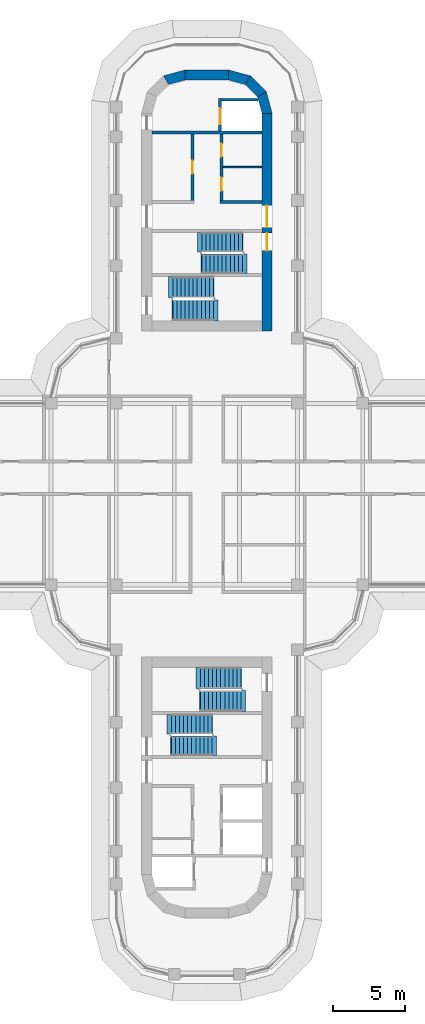
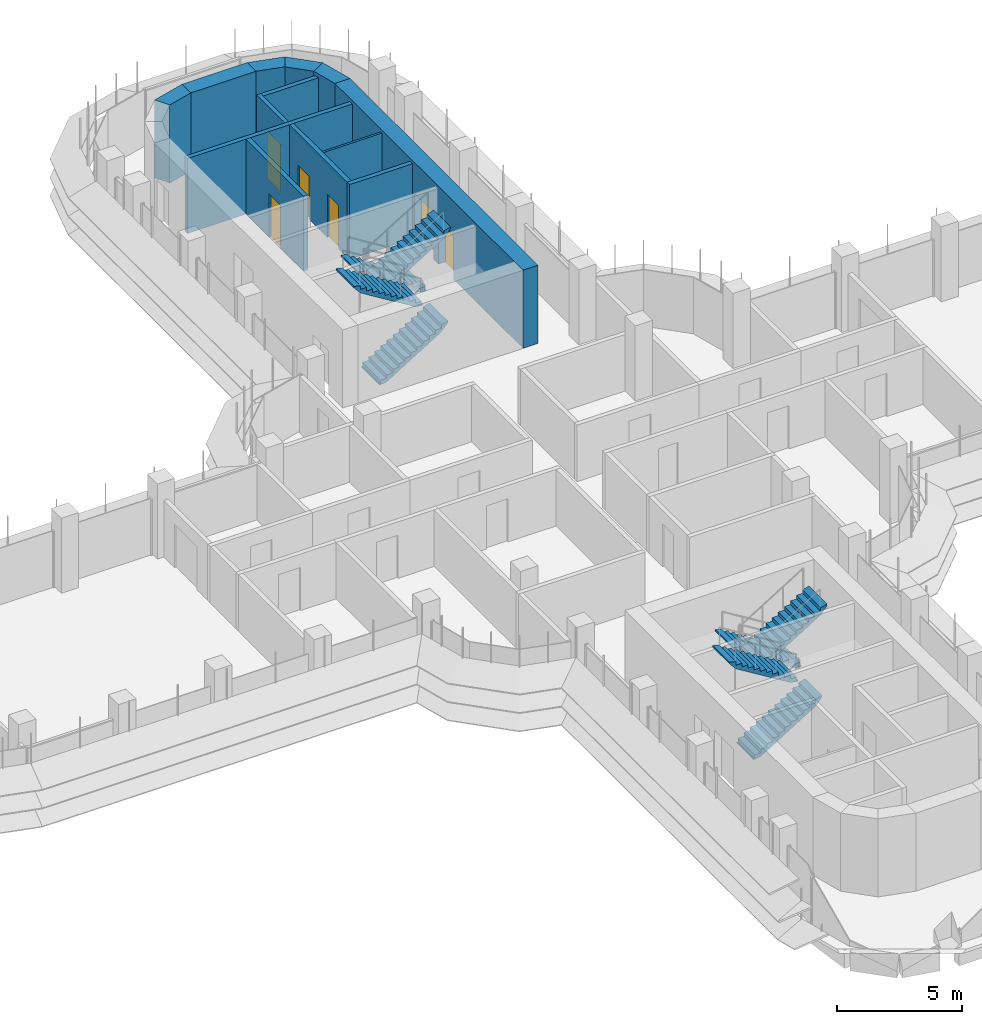
# One storey, part 16 of 20: 13 walls, 8 stair flights, 6 doors, 6 openings, 4 elements without a shape of their own.
"""IFC4 building model written with IfcOpenShell, lengths in metres."""

from ifc_helpers import new_model, si_unit, direction, frame, frame_2d, origin, place, context, subcontext, project, spatial, polyline, rectangle, outline, extrude, material, layer, layer_set, type_object, element, fill, aggregate, save


model = new_model("IFC4")

# Units and contexts
model_context = context("Model", 3, precision=1e-05, world=origin(), true_north=direction((0.0, 1.0)))
body_context = subcontext(model_context, "Body", "Model", "MODEL_VIEW")
ifc_project = project(units=[si_unit("LENGTHUNIT", "METRE"), si_unit("AREAUNIT", "SQUARE_METRE"), si_unit("VOLUMEUNIT", "CUBIC_METRE"), si_unit("PLANEANGLEUNIT", "RADIAN"), si_unit("MASSUNIT", "GRAM", prefix="KILO")], contexts=[model_context])

# Site, building, storey
site_placement = place(None, origin())
site = spatial("IfcSite", under=ifc_project, at=site_placement, CompositionType="ELEMENT")
building_placement = place(site_placement, origin())
building = spatial("IfcBuilding", under=site, at=building_placement, Name="Zarbagh Exchange Tower", CompositionType="ELEMENT")
storey_placement = place(building_placement, frame((0.0, 0.0, 152.39990234375)))
storey = spatial("IfcBuildingStorey", under=building, at=storey_placement, Name="L36", CompositionType="ELEMENT", Elevation=152.39990234375)

# Walls
ifc_material_1 = material(Name="Dense blockwork", Category="masonry")
ifc_layer_1 = layer(ifc_material_1, 0.10009765625)
ifc_layer_set_1 = layer_set([ifc_layer_1], Name="Core partition 100 mm blockwork")
wall_type_1 = type_object("IfcWallType", Name="Core partition 100 mm blockwork", PredefinedType="PARTITIONING", material=ifc_layer_set_1)
wall_1_placement = place(storey_placement, frame((1.10009765625, 22.550048828125, 0.0), z_axis=(0.0, 0.0, 1.0), x_axis=(1.0, 0.0, 0.0)))
element("IfcWall", 1, at=wall_1_placement, inside=storey, type_object=wall_type_1, Name="North core partition wall CUT-E-580", PredefinedType="PARTITIONING", context=body_context, shape_type="SweptSolid", body=[
    extrude(rectangle(XDim=2.699951171875, YDim=0.10009765625, at=frame_2d((1.35009765625, 0.0))), origin(), (0.0, 0.0, 1.0), 3.650146484375),
])
ifc_material_2 = material(Name="Concrete C50/60", Category="concrete")
ifc_layer_2 = layer(ifc_material_2, 0.699951171875)
ifc_layer_set_2 = layer_set([ifc_layer_2], Name="RC core corner wall 700 C50/60")
wall_type_2 = type_object("IfcWallType", Name="RC core corner wall 700 C50/60", PredefinedType="SHEAR", material=ifc_layer_set_2)
wall_2_placement = place(storey_placement, origin())
element("IfcWall", 2, at=wall_2_placement, inside=storey, type_object=wall_type_2, Name="CW6 core N corner W", PredefinedType="SHEAR", context=body_context, shape_type="SweptSolid", body=[
    extrude(outline(polyline([(-3.0, 28.84814453125), (-1.5, 29.25), (-1.5, 28.550048828125), (-2.64990234375, 28.241943359375), (-3.0, 28.84814453125)])), origin(), (0.0, 0.0, 1.0), 3.800048828125),
])
wall_3_placement = place(storey_placement, origin())
element("IfcWall", 3, at=wall_3_placement, inside=storey, type_object=wall_type_2, Name="CW6 core N corner E", PredefinedType="SHEAR", context=body_context, shape_type="SweptSolid", body=[
    extrude(outline(polyline([(4.5, 26.25), (4.09814453125, 27.75), (3.491943359375, 27.39990234375), (3.800048828125, 26.25), (4.5, 26.25)])), origin(), (0.0, 0.0, 1.0), 3.800048828125),
])
wall_4_placement = place(storey_placement, origin())
element("IfcWall", 4, at=wall_4_placement, inside=storey, type_object=wall_type_2, Name="CW6 core N corner E", PredefinedType="SHEAR", context=body_context, shape_type="SweptSolid", body=[
    extrude(outline(polyline([(4.09814453125, 27.75), (3.0, 28.84814453125), (2.64990234375, 28.241943359375), (3.491943359375, 27.39990234375), (4.09814453125, 27.75)])), origin(), (0.0, 0.0, 1.0), 3.800048828125),
])
wall_5_placement = place(storey_placement, origin())
element("IfcWall", 5, at=wall_5_placement, inside=storey, type_object=wall_type_2, Name="CW6 core N corner E", PredefinedType="SHEAR", context=body_context, shape_type="SweptSolid", body=[
    extrude(outline(polyline([(3.0, 28.84814453125), (1.5, 29.25), (1.5, 28.550048828125), (2.64990234375, 28.241943359375), (3.0, 28.84814453125)])), origin(), (0.0, 0.0, 1.0), 3.800048828125),
])

# Wall, openings, doors
ifc_layer_3 = layer(ifc_material_2, 0.699951171875)
ifc_layer_set_3 = layer_set([ifc_layer_3], Name="RC core wall 700 C50/60")
wall_type_3 = type_object("IfcWallType", Name="RC core wall 700 C50/60", PredefinedType="SHEAR", material=ifc_layer_set_3)
wall_6_placement = place(storey_placement, frame((4.14990234375, 11.25, 0.0), z_axis=(0.0, 0.0, 1.0), x_axis=(0.0, 1.0, 0.0)))
wall_6 = element("IfcWall", 6, at=wall_6_placement, inside=storey, type_object=wall_type_3, Name="CW5 core N E", PredefinedType="SHEAR", context=body_context, shape_type="SweptSolid", body=[
    extrude(rectangle(XDim=15.0, YDim=0.699951171875, at=frame_2d((7.5, 0.0))), origin(), (0.0, 0.0, 1.0), 3.800048828125),
])
opening_1_placement = place(wall_6_placement, frame((7.14990234375, 0.0, 0.0)))
opening_1 = element("IfcOpeningElement", 7, at=opening_1_placement, cuts=wall_6, Name="Opening CD1-1500", PredefinedType="OPENING", context=body_context, shape_type="SweptSolid", body=[
    extrude(rectangle(XDim=1.5, YDim=2.300048828125, at=frame_2d((0.75, 1.14990234375))), frame((0.0, 0.35986328125, 0.0), z_axis=(0.0, -1.0, 0.0), x_axis=(1.0, 0.0, 0.0)), (0.0, 0.0, 1.0), 0.719970703125),
])
opening_2_placement = place(wall_6_placement, frame((5.550048828125, 0.0, 0.0)))
opening_2 = element("IfcOpeningElement", 8, at=opening_2_placement, cuts=wall_6, Name="Opening SD1-1200", PredefinedType="OPENING", context=body_context, shape_type="SweptSolid", body=[
    extrude(rectangle(XDim=1.199951171875, YDim=2.10009765625, at=frame_2d((0.60009765625, 1.050048828125))), frame((0.0, 0.35986328125, 0.0), z_axis=(0.0, -1.0, 0.0), x_axis=(1.0, 0.0, 0.0)), (0.0, 0.0, 1.0), 0.719970703125),
])
ifc_material_3 = material(Name="Steel", Category="steel")
door_type_1 = type_object("IfcDoorType", Name="Exit stair door 1200 x 2100", OperationType="NOTDEFINED", PredefinedType="DOOR", material=ifc_material_3)
door_1_placement = place(opening_2_placement, origin())
door_1 = element("IfcDoor", 9, at=door_1_placement, inside=storey, type_object=door_type_1, Name="North core stair door ST1", OperationType="SINGLE_SWING_LEFT", OverallHeight=2.10009765625, OverallWidth=1.199951171875, PredefinedType="DOOR", context=body_context, shape_type="SweptSolid", body=[
    extrude(rectangle(XDim=1.199951171875, YDim=2.10009765625, at=frame_2d((0.60009765625, 1.050048828125))), frame((0.0, 0.02490234375, 0.0), z_axis=(0.0, -1.0, 0.0), x_axis=(1.0, 0.0, 0.0)), (0.0, 0.0, 1.0), 0.050048828125),
])
fill(opening_2, door_1)
door_type_2 = type_object("IfcDoorType", Name="Lift lobby double door 1500 x 2300", OperationType="NOTDEFINED", PredefinedType="DOOR", material=ifc_material_3)
door_2_placement = place(opening_1_placement, origin())
door_2 = element("IfcDoor", 10, at=door_2_placement, inside=storey, type_object=door_type_2, Name="North core lift lobby door LOBBY-E", OperationType="DOUBLE_DOOR_SINGLE_SWING", OverallHeight=2.300048828125, OverallWidth=1.5, PredefinedType="DOOR", context=body_context, shape_type="SweptSolid", body=[
    extrude(rectangle(XDim=1.5, YDim=2.300048828125, at=frame_2d((0.75, 1.14990234375))), frame((0.0, 0.02490234375, 0.0), z_axis=(0.0, -1.0, 0.0), x_axis=(1.0, 0.0, 0.0)), (0.0, 0.0, 1.0), 0.050048828125),
])
fill(opening_1, door_2)

# Wall
wall_7_placement = place(storey_placement, frame((-1.5, 28.89990234375, 0.0), z_axis=(0.0, 0.0, 1.0), x_axis=(1.0, 0.0, 0.0)))
element("IfcWall", 11, at=wall_7_placement, inside=storey, type_object=wall_type_3, Name="CW5 core N outer end", PredefinedType="SHEAR", context=body_context, shape_type="SweptSolid", body=[
    extrude(rectangle(XDim=3.0, YDim=0.699951171875, at=frame_2d((1.5, 0.0))), origin(), (0.0, 0.0, 1.0), 3.800048828125),
])

# Wall, opening, door
ifc_layer_4 = layer(ifc_material_1, 0.199951171875)
ifc_layer_set_4 = layer_set([ifc_layer_4], Name="Shaft wall 200 mm blockwork")
wall_type_4 = type_object("IfcWallType", Name="Shaft wall 200 mm blockwork", PredefinedType="PARTITIONING", material=ifc_layer_set_4)
wall_8_placement = place(storey_placement, frame((-1.0, 24.85009765625, 0.0), z_axis=(0.0, 0.0, 1.0), x_axis=(0.0, -1.0, 0.0)))
wall_8 = element("IfcWall", 12, at=wall_8_placement, inside=storey, type_object=wall_type_4, Name="North core shaft wall LW-W", PredefinedType="PARTITIONING", context=body_context, shape_type="SweptSolid", body=[
    extrude(rectangle(XDim=4.60009765625, YDim=0.199951171875, at=frame_2d((2.300048828125, 0.0))), origin(), (0.0, 0.0, 1.0), 3.650146484375),
])
opening_3_placement = place(wall_8_placement, frame((1.85009765625, 0.0, 0.0)))
opening_3 = element("IfcOpeningElement", 13, at=opening_3_placement, cuts=wall_8, Name="Opening CD3-900", PredefinedType="OPENING", context=body_context, shape_type="SweptSolid", body=[
    extrude(rectangle(XDim=0.89990234375, YDim=2.10009765625, at=frame_2d((0.449951171875, 1.050048828125))), frame((0.0, 0.10986328125, 0.0), z_axis=(0.0, -1.0, 0.0), x_axis=(1.0, 0.0, 0.0)), (0.0, 0.0, 1.0), 0.219970703125),
])
door_type_3 = type_object("IfcDoorType", Name="Core room door 900 x 2100", OperationType="NOTDEFINED", PredefinedType="DOOR", material=ifc_material_3)
door_3_placement = place(opening_3_placement, origin())
door_3 = element("IfcDoor", 14, at=door_3_placement, inside=storey, type_object=door_type_3, Name="North core Riser store door RD-W-0", OperationType="SINGLE_SWING_LEFT", OverallHeight=2.10009765625, OverallWidth=0.89990234375, PredefinedType="DOOR", context=body_context, shape_type="SweptSolid", body=[
    extrude(rectangle(XDim=0.89990234375, YDim=2.10009765625, at=frame_2d((0.449951171875, 1.050048828125))), frame((0.0, 0.02490234375, 0.0), z_axis=(0.0, -1.0, 0.0), x_axis=(1.0, 0.0, 0.0)), (0.0, 0.0, 1.0), 0.050048828125),
])
fill(opening_3, door_3)

# Wall
wall_9_placement = place(storey_placement, frame((0.89990234375, 20.14990234375, 0.0), z_axis=(0.0, 0.0, 1.0), x_axis=(1.0, 0.0, 0.0)))
element("IfcWall", 15, at=wall_9_placement, inside=storey, type_object=wall_type_4, Name="North core shaft wall AB-E", PredefinedType="PARTITIONING", context=body_context, shape_type="SweptSolid", body=[
    extrude(rectangle(XDim=2.900146484375, YDim=0.199951171875, at=frame_2d((1.4501953125, 0.0))), origin(), (0.0, 0.0, 1.0), 3.650146484375),
])

# Wall, openings, doors
wall_10_placement = place(storey_placement, frame((1.0, 24.85009765625, 0.0), z_axis=(0.0, 0.0, 1.0), x_axis=(0.0, -1.0, 0.0)))
wall_10 = element("IfcWall", 16, at=wall_10_placement, inside=storey, type_object=wall_type_4, Name="North core shaft wall LW-E", PredefinedType="PARTITIONING", context=body_context, shape_type="SweptSolid", body=[
    extrude(rectangle(XDim=4.60009765625, YDim=0.199951171875, at=frame_2d((2.300048828125, 0.0))), origin(), (0.0, 0.0, 1.0), 3.650146484375),
])
opening_4_placement = place(wall_10_placement, frame((0.675048828125, 0.0, 0.0)))
opening_4 = element("IfcOpeningElement", 17, at=opening_4_placement, cuts=wall_10, Name="Opening CD3-900", PredefinedType="OPENING", context=body_context, shape_type="SweptSolid", body=[
    extrude(rectangle(XDim=0.89990234375, YDim=2.10009765625, at=frame_2d((0.449951171875, 1.050048828125))), frame((0.0, 0.10986328125, 0.0), z_axis=(0.0, -1.0, 0.0), x_axis=(1.0, 0.0, 0.0)), (0.0, 0.0, 1.0), 0.219970703125),
])
opening_5_placement = place(wall_10_placement, frame((3.02490234375, 0.0, 0.0)))
opening_5 = element("IfcOpeningElement", 18, at=opening_5_placement, cuts=wall_10, Name="Opening CD3-900", PredefinedType="OPENING", context=body_context, shape_type="SweptSolid", body=[
    extrude(rectangle(XDim=0.89990234375, YDim=2.10009765625, at=frame_2d((0.449951171875, 1.050048828125))), frame((0.0, 0.10986328125, 0.0), z_axis=(0.0, -1.0, 0.0), x_axis=(1.0, 0.0, 0.0)), (0.0, 0.0, 1.0), 0.219970703125),
])
door_4_placement = place(opening_4_placement, origin())
door_4 = element("IfcDoor", 19, at=door_4_placement, inside=storey, type_object=door_type_3, Name="North core Staff WC door RD-E-0", OperationType="SINGLE_SWING_LEFT", OverallHeight=2.10009765625, OverallWidth=0.89990234375, PredefinedType="DOOR", context=body_context, shape_type="SweptSolid", body=[
    extrude(rectangle(XDim=0.89990234375, YDim=2.10009765625, at=frame_2d((0.449951171875, 1.050048828125))), frame((0.0, 0.02490234375, 0.0), z_axis=(0.0, -1.0, 0.0), x_axis=(1.0, 0.0, 0.0)), (0.0, 0.0, 1.0), 0.050048828125),
])
fill(opening_4, door_4)
door_5_placement = place(opening_5_placement, origin())
door_5 = element("IfcDoor", 20, at=door_5_placement, inside=storey, type_object=door_type_3, Name="North core Accessible WC door RD-E-1", OperationType="SINGLE_SWING_RIGHT", OverallHeight=2.10009765625, OverallWidth=0.89990234375, PredefinedType="DOOR", context=body_context, shape_type="SweptSolid", body=[
    extrude(rectangle(XDim=0.89990234375, YDim=2.10009765625, at=frame_2d((0.449951171875, 1.050048828125))), frame((0.0, 0.02490234375, 0.0), z_axis=(0.0, -1.0, 0.0), x_axis=(1.0, 0.0, 0.0)), (0.0, 0.0, 1.0), 0.050048828125),
])
fill(opening_5, door_5)

# Wall
ifc_material_4 = material(Name="Concrete C40/50", Category="concrete")
ifc_layer_5 = layer(ifc_material_4, 0.199951171875)
ifc_layer_set_5 = layer_set([ifc_layer_5], Name="Stair enclosure wall 200 mm RC C40/50")
wall_type_5 = type_object("IfcWallType", Name="Stair enclosure wall 200 mm RC C40/50", PredefinedType="SHEAR", material=ifc_layer_set_5)
wall_11_placement = place(storey_placement, frame((-3.800048828125, 24.949951171875, 0.0), z_axis=(0.0, 0.0, 1.0), x_axis=(1.0, 0.0, 0.0)))
element("IfcWall", 21, at=wall_11_placement, inside=storey, type_object=wall_type_5, Name="North core lift shaft wall FFA", PredefinedType="SHEAR", context=body_context, shape_type="SweptSolid", body=[
    extrude(rectangle(XDim=7.60009765625, YDim=0.199951171875, at=frame_2d((3.800048828125, 0.0))), origin(), (0.0, 0.0, 1.0), 3.650146484375),
])

# Wall, opening, door
wall_12_placement = place(storey_placement, frame((0.89990234375, 27.300048828125, 0.0), z_axis=(0.0, 0.0, 1.0), x_axis=(0.0, -1.0, 0.0)))
wall_12 = element("IfcWall", 22, at=wall_12_placement, inside=storey, type_object=wall_type_5, Name="North core lift shaft wall FFL", PredefinedType="SHEAR", context=body_context, shape_type="SweptSolid", body=[
    extrude(rectangle(XDim=2.25, YDim=0.199951171875, at=frame_2d((1.125, 0.0))), origin(), (0.0, 0.0, 1.0), 3.650146484375),
])
opening_6_placement = place(wall_12_placement, frame((0.699951171875, 0.0, 0.0)))
opening_6 = element("IfcOpeningElement", 23, at=opening_6_placement, cuts=wall_12, Name="Opening LD-1100", PredefinedType="OPENING", context=body_context, shape_type="SweptSolid", body=[
    extrude(rectangle(XDim=1.10009765625, YDim=2.300048828125, at=frame_2d((0.550048828125, 1.14990234375))), frame((0.0, 0.10986328125, 0.0), z_axis=(0.0, -1.0, 0.0), x_axis=(1.0, 0.0, 0.0)), (0.0, 0.0, 1.0), 0.219970703125),
])
ifc_material_5 = material(Name="Stainless steel", Category="steel")
door_type_4 = type_object("IfcDoorType", Name="Lift landing door 1100 x 2300", OperationType="NOTDEFINED", PredefinedType="DOOR", material=ifc_material_5)
door_6_placement = place(opening_6_placement, origin())
door_6 = element("IfcDoor", 24, at=door_6_placement, inside=storey, type_object=door_type_4, Name="North core lift landing door LD-F", OperationType="DOUBLE_DOOR_SLIDING", OverallHeight=2.300048828125, OverallWidth=1.10009765625, PredefinedType="DOOR", context=body_context, shape_type="SweptSolid", body=[
    extrude(rectangle(XDim=1.10009765625, YDim=2.300048828125, at=frame_2d((0.550048828125, 1.14990234375))), frame((0.0, 0.02490234375, 0.0), z_axis=(0.0, -1.0, 0.0), x_axis=(1.0, 0.0, 0.0)), (0.0, 0.0, 1.0), 0.050048828125),
])
fill(opening_6, door_6)

# Wall
wall_13_placement = place(storey_placement, origin())
element("IfcWall", 25, at=wall_13_placement, inside=storey, type_object=wall_type_5, Name="North core lift shaft wall FFX", PredefinedType="SHEAR", context=body_context, shape_type="SweptSolid", body=[
    extrude(outline(polyline([(1.0, 27.10009765625), (3.547607421875, 27.10009765625), (3.493896484375, 27.300048828125), (1.0, 27.300048828125), (1.0, 27.10009765625)])), origin(), (0.0, 0.0, 1.0), 3.650146484375),
])

# Stair, stair flights
stair_type = type_object("IfcStairType", Name="Exit stair two-flight half-turn", PredefinedType="HALF_TURN_STAIR", material=ifc_material_4)
stair_1_placement = place(storey_placement, origin())
stair_1 = element("IfcStair", 26, at=stair_1_placement, inside=storey, type_object=stair_type, Name="exit stair ST1", PredefinedType="HALF_TURN_STAIR")
stair_flight_type_1 = type_object("IfcStairFlightType", Name="Stair flight 1350 mm", PredefinedType="STRAIGHT", material=ifc_material_4)
stair_flight_1_placement = place(storey_placement, frame((2.449951171875, 17.375, 0.0), z_axis=(0.0, 0.0, 1.0), x_axis=(-1.0, 0.0, 0.0)))
stair_flight_1 = element("IfcStairFlight", 27, at=stair_flight_1_placement, type_object=stair_flight_type_1, Name="ST1 flight 1", NumberOfRisers=11, NumberOfTreads=10, PredefinedType="STRAIGHT", RiserHeight=0.172727273, TreadLength=0.28, context=body_context, shape_type="SweptSolid", body=[
    extrude(outline(polyline([(-0.050048828125, -0.050048828125), (-0.050048828125, 0.0), (0.0, 0.0), (0.0, 0.172607421875), (0.280029296875, 0.172607421875), (0.280029296875, 0.345458984375), (0.56005859375, 0.345458984375), (0.56005859375, 0.51806640625), (0.840087890625, 0.51806640625), (0.840087890625, 0.69091796875), (1.1201171875, 0.69091796875), (1.1201171875, 0.863525390625), (1.39990234375, 0.863525390625), (1.39990234375, 1.036376953125), (1.679931640625, 1.036376953125), (1.679931640625, 1.208984375), (1.9599609375, 1.208984375), (1.9599609375, 1.3818359375), (2.239990234375, 1.3818359375), (2.239990234375, 1.554443359375), (2.52001953125, 1.554443359375), (2.52001953125, 1.727294921875), (2.800048828125, 1.727294921875), (2.800048828125, 1.89990234375), (3.10009765625, 1.97998046875), (3.10009765625, 1.89990234375), (2.800048828125, 1.551025390625), (0.285400390625, 0.0), (-0.050048828125, -0.050048828125)])), frame((0.0, 0.675048828125, 0.0), z_axis=(0.0, -1.0, 0.0), x_axis=(1.0, 0.0, 0.0)), (0.0, 0.0, 1.0), 1.35009765625),
])
stair_flight_2_placement = place(storey_placement, frame((-0.35009765625, 15.875, 1.900146484375), z_axis=(0.0, 0.0, 1.0), x_axis=(1.0, 0.0, 0.0)))
stair_flight_2 = element("IfcStairFlight", 28, at=stair_flight_2_placement, type_object=stair_flight_type_1, Name="ST1 flight 2", NumberOfRisers=11, NumberOfTreads=10, PredefinedType="STRAIGHT", RiserHeight=0.172727273, TreadLength=0.28, context=body_context, shape_type="SweptSolid", body=[
    extrude(outline(polyline([(-0.050048828125, -0.050048828125), (-0.050048828125, 0.0), (0.0, 0.0), (0.0, 0.172607421875), (0.280029296875, 0.172607421875), (0.280029296875, 0.345458984375), (0.56005859375, 0.345458984375), (0.56005859375, 0.51806640625), (0.840087890625, 0.51806640625), (0.840087890625, 0.69091796875), (1.1201171875, 0.69091796875), (1.1201171875, 0.863525390625), (1.39990234375, 0.863525390625), (1.39990234375, 1.036376953125), (1.679931640625, 1.036376953125), (1.679931640625, 1.208984375), (1.9599609375, 1.208984375), (1.9599609375, 1.3818359375), (2.239990234375, 1.3818359375), (2.239990234375, 1.554443359375), (2.52001953125, 1.554443359375), (2.52001953125, 1.727294921875), (2.800048828125, 1.727294921875), (2.800048828125, 1.89990234375), (3.10009765625, 1.97998046875), (3.10009765625, 1.89990234375), (2.800048828125, 1.551025390625), (0.285400390625, 0.0), (-0.050048828125, -0.050048828125)])), frame((0.0, 0.675048828125, 0.0), z_axis=(0.0, -1.0, 0.0), x_axis=(1.0, 0.0, 0.0)), (0.0, 0.0, 1.0), 1.35009765625),
])
aggregate(stair_1, [stair_flight_1, stair_flight_2])

stair_2_placement = place(storey_placement, origin())
stair_2 = element("IfcStair", 29, at=stair_2_placement, inside=storey, type_object=stair_type, Name="exit stair ST3", PredefinedType="HALF_TURN_STAIR")
stair_flight_3_placement = place(storey_placement, frame((-2.449951171875, -17.375, 0.0), z_axis=(0.0, 0.0, 1.0), x_axis=(1.0, 0.0, 0.0)))
stair_flight_3 = element("IfcStairFlight", 30, at=stair_flight_3_placement, type_object=stair_flight_type_1, Name="ST3 flight 1", NumberOfRisers=11, NumberOfTreads=10, PredefinedType="STRAIGHT", RiserHeight=0.172727273, TreadLength=0.28, context=body_context, shape_type="SweptSolid", body=[
    extrude(outline(polyline([(-0.050048828125, -0.050048828125), (-0.050048828125, 0.0), (0.0, 0.0), (0.0, 0.172607421875), (0.280029296875, 0.172607421875), (0.280029296875, 0.345458984375), (0.56005859375, 0.345458984375), (0.56005859375, 0.51806640625), (0.840087890625, 0.51806640625), (0.840087890625, 0.69091796875), (1.1201171875, 0.69091796875), (1.1201171875, 0.863525390625), (1.39990234375, 0.863525390625), (1.39990234375, 1.036376953125), (1.679931640625, 1.036376953125), (1.679931640625, 1.208984375), (1.9599609375, 1.208984375), (1.9599609375, 1.3818359375), (2.239990234375, 1.3818359375), (2.239990234375, 1.554443359375), (2.52001953125, 1.554443359375), (2.52001953125, 1.727294921875), (2.800048828125, 1.727294921875), (2.800048828125, 1.89990234375), (3.10009765625, 1.97998046875), (3.10009765625, 1.89990234375), (2.800048828125, 1.551025390625), (0.285400390625, 0.0), (-0.050048828125, -0.050048828125)])), frame((0.0, 0.675048828125, 0.0), z_axis=(0.0, -1.0, 0.0), x_axis=(1.0, 0.0, 0.0)), (0.0, 0.0, 1.0), 1.35009765625),
])
stair_flight_4_placement = place(storey_placement, frame((0.35009765625, -15.875, 1.900146484375), z_axis=(0.0, 0.0, 1.0), x_axis=(-1.0, 0.0, 0.0)))
stair_flight_4 = element("IfcStairFlight", 31, at=stair_flight_4_placement, type_object=stair_flight_type_1, Name="ST3 flight 2", NumberOfRisers=11, NumberOfTreads=10, PredefinedType="STRAIGHT", RiserHeight=0.172727273, TreadLength=0.28, context=body_context, shape_type="SweptSolid", body=[
    extrude(outline(polyline([(-0.050048828125, -0.050048828125), (-0.050048828125, 0.0), (0.0, 0.0), (0.0, 0.172607421875), (0.280029296875, 0.172607421875), (0.280029296875, 0.345458984375), (0.56005859375, 0.345458984375), (0.56005859375, 0.51806640625), (0.840087890625, 0.51806640625), (0.840087890625, 0.69091796875), (1.1201171875, 0.69091796875), (1.1201171875, 0.863525390625), (1.39990234375, 0.863525390625), (1.39990234375, 1.036376953125), (1.679931640625, 1.036376953125), (1.679931640625, 1.208984375), (1.9599609375, 1.208984375), (1.9599609375, 1.3818359375), (2.239990234375, 1.3818359375), (2.239990234375, 1.554443359375), (2.52001953125, 1.554443359375), (2.52001953125, 1.727294921875), (2.800048828125, 1.727294921875), (2.800048828125, 1.89990234375), (3.10009765625, 1.97998046875), (3.10009765625, 1.89990234375), (2.800048828125, 1.551025390625), (0.285400390625, 0.0), (-0.050048828125, -0.050048828125)])), frame((0.0, 0.675048828125, 0.0), z_axis=(0.0, -1.0, 0.0), x_axis=(1.0, 0.0, 0.0)), (0.0, 0.0, 1.0), 1.35009765625),
])
aggregate(stair_2, [stair_flight_3, stair_flight_4])

stair_3_placement = place(storey_placement, origin())
stair_3 = element("IfcStair", 32, at=stair_3_placement, inside=storey, type_object=stair_type, Name="exit stair ST2", PredefinedType="HALF_TURN_STAIR")
stair_flight_type_2 = type_object("IfcStairFlightType", Name="Stair flight 1450 mm", PredefinedType="STRAIGHT", material=ifc_material_4)
stair_flight_5_placement = place(storey_placement, frame((-2.35009765625, 12.675048828125, 0.0), z_axis=(0.0, 0.0, 1.0), x_axis=(1.0, 0.0, 0.0)))
stair_flight_5 = element("IfcStairFlight", 33, at=stair_flight_5_placement, type_object=stair_flight_type_2, Name="ST2 flight 1", NumberOfRisers=11, NumberOfTreads=10, PredefinedType="STRAIGHT", RiserHeight=0.172727273, TreadLength=0.28, context=body_context, shape_type="SweptSolid", body=[
    extrude(outline(polyline([(-0.050048828125, -0.050048828125), (-0.050048828125, 0.0), (0.0, 0.0), (0.0, 0.172607421875), (0.280029296875, 0.172607421875), (0.280029296875, 0.345458984375), (0.56005859375, 0.345458984375), (0.56005859375, 0.51806640625), (0.840087890625, 0.51806640625), (0.840087890625, 0.69091796875), (1.1201171875, 0.69091796875), (1.1201171875, 0.863525390625), (1.39990234375, 0.863525390625), (1.39990234375, 1.036376953125), (1.679931640625, 1.036376953125), (1.679931640625, 1.208984375), (1.9599609375, 1.208984375), (1.9599609375, 1.3818359375), (2.239990234375, 1.3818359375), (2.239990234375, 1.554443359375), (2.52001953125, 1.554443359375), (2.52001953125, 1.727294921875), (2.800048828125, 1.727294921875), (2.800048828125, 1.89990234375), (3.10009765625, 1.97998046875), (3.10009765625, 1.89990234375), (2.800048828125, 1.551025390625), (0.285400390625, 0.0), (-0.050048828125, -0.050048828125)])), frame((0.0, 0.72509765625, 0.0), z_axis=(0.0, -1.0, 0.0), x_axis=(1.0, 0.0, 0.0)), (0.0, 0.0, 1.0), 1.449951171875),
])
stair_flight_6_placement = place(storey_placement, frame((0.449951171875, 14.27490234375, 1.900146484375), z_axis=(0.0, 0.0, 1.0), x_axis=(-1.0, 0.0, 0.0)))
stair_flight_6 = element("IfcStairFlight", 34, at=stair_flight_6_placement, type_object=stair_flight_type_2, Name="ST2 flight 2", NumberOfRisers=11, NumberOfTreads=10, PredefinedType="STRAIGHT", RiserHeight=0.172727273, TreadLength=0.28, context=body_context, shape_type="SweptSolid", body=[
    extrude(outline(polyline([(-0.050048828125, -0.050048828125), (-0.050048828125, 0.0), (0.0, 0.0), (0.0, 0.172607421875), (0.280029296875, 0.172607421875), (0.280029296875, 0.345458984375), (0.56005859375, 0.345458984375), (0.56005859375, 0.51806640625), (0.840087890625, 0.51806640625), (0.840087890625, 0.69091796875), (1.1201171875, 0.69091796875), (1.1201171875, 0.863525390625), (1.39990234375, 0.863525390625), (1.39990234375, 1.036376953125), (1.679931640625, 1.036376953125), (1.679931640625, 1.208984375), (1.9599609375, 1.208984375), (1.9599609375, 1.3818359375), (2.239990234375, 1.3818359375), (2.239990234375, 1.554443359375), (2.52001953125, 1.554443359375), (2.52001953125, 1.727294921875), (2.800048828125, 1.727294921875), (2.800048828125, 1.89990234375), (3.10009765625, 1.97998046875), (3.10009765625, 1.89990234375), (2.800048828125, 1.551025390625), (0.285400390625, 0.0), (-0.050048828125, -0.050048828125)])), frame((0.0, 0.72509765625, 0.0), z_axis=(0.0, -1.0, 0.0), x_axis=(1.0, 0.0, 0.0)), (0.0, 0.0, 1.0), 1.449951171875),
])
aggregate(stair_3, [stair_flight_5, stair_flight_6])

stair_4_placement = place(storey_placement, origin())
stair_4 = element("IfcStair", 35, at=stair_4_placement, inside=storey, type_object=stair_type, Name="exit stair ST4", PredefinedType="HALF_TURN_STAIR")
stair_flight_7_placement = place(storey_placement, frame((2.35009765625, -12.675048828125, 0.0), z_axis=(0.0, 0.0, 1.0), x_axis=(-1.0, 0.0, 0.0)))
stair_flight_7 = element("IfcStairFlight", 36, at=stair_flight_7_placement, type_object=stair_flight_type_2, Name="ST4 flight 1", NumberOfRisers=11, NumberOfTreads=10, PredefinedType="STRAIGHT", RiserHeight=0.172727273, TreadLength=0.28, context=body_context, shape_type="SweptSolid", body=[
    extrude(outline(polyline([(-0.050048828125, -0.050048828125), (-0.050048828125, 0.0), (0.0, 0.0), (0.0, 0.172607421875), (0.280029296875, 0.172607421875), (0.280029296875, 0.345458984375), (0.56005859375, 0.345458984375), (0.56005859375, 0.51806640625), (0.840087890625, 0.51806640625), (0.840087890625, 0.69091796875), (1.1201171875, 0.69091796875), (1.1201171875, 0.863525390625), (1.39990234375, 0.863525390625), (1.39990234375, 1.036376953125), (1.679931640625, 1.036376953125), (1.679931640625, 1.208984375), (1.9599609375, 1.208984375), (1.9599609375, 1.3818359375), (2.239990234375, 1.3818359375), (2.239990234375, 1.554443359375), (2.52001953125, 1.554443359375), (2.52001953125, 1.727294921875), (2.800048828125, 1.727294921875), (2.800048828125, 1.89990234375), (3.10009765625, 1.97998046875), (3.10009765625, 1.89990234375), (2.800048828125, 1.551025390625), (0.285400390625, 0.0), (-0.050048828125, -0.050048828125)])), frame((0.0, 0.72509765625, 0.0), z_axis=(0.0, -1.0, 0.0), x_axis=(1.0, 0.0, 0.0)), (0.0, 0.0, 1.0), 1.449951171875),
])
stair_flight_8_placement = place(storey_placement, frame((-0.449951171875, -14.27490234375, 1.900146484375), z_axis=(0.0, 0.0, 1.0), x_axis=(1.0, 0.0, 0.0)))
stair_flight_8 = element("IfcStairFlight", 37, at=stair_flight_8_placement, type_object=stair_flight_type_2, Name="ST4 flight 2", NumberOfRisers=11, NumberOfTreads=10, PredefinedType="STRAIGHT", RiserHeight=0.172727273, TreadLength=0.28, context=body_context, shape_type="SweptSolid", body=[
    extrude(outline(polyline([(-0.050048828125, -0.050048828125), (-0.050048828125, 0.0), (0.0, 0.0), (0.0, 0.172607421875), (0.280029296875, 0.172607421875), (0.280029296875, 0.345458984375), (0.56005859375, 0.345458984375), (0.56005859375, 0.51806640625), (0.840087890625, 0.51806640625), (0.840087890625, 0.69091796875), (1.1201171875, 0.69091796875), (1.1201171875, 0.863525390625), (1.39990234375, 0.863525390625), (1.39990234375, 1.036376953125), (1.679931640625, 1.036376953125), (1.679931640625, 1.208984375), (1.9599609375, 1.208984375), (1.9599609375, 1.3818359375), (2.239990234375, 1.3818359375), (2.239990234375, 1.554443359375), (2.52001953125, 1.554443359375), (2.52001953125, 1.727294921875), (2.800048828125, 1.727294921875), (2.800048828125, 1.89990234375), (3.10009765625, 1.97998046875), (3.10009765625, 1.89990234375), (2.800048828125, 1.551025390625), (0.285400390625, 0.0), (-0.050048828125, -0.050048828125)])), frame((0.0, 0.72509765625, 0.0), z_axis=(0.0, -1.0, 0.0), x_axis=(1.0, 0.0, 0.0)), (0.0, 0.0, 1.0), 1.449951171875),
])
aggregate(stair_4, [stair_flight_7, stair_flight_8])

save(model, "model.ifc")
